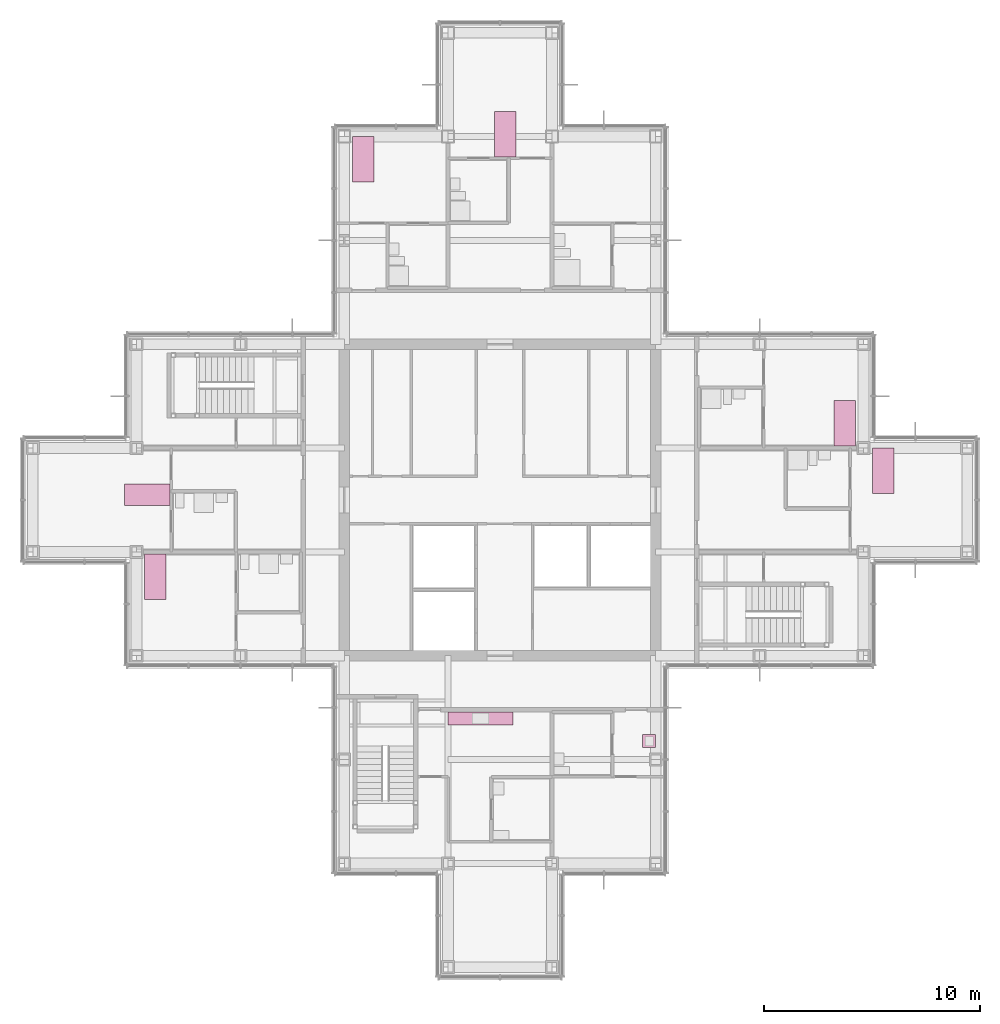
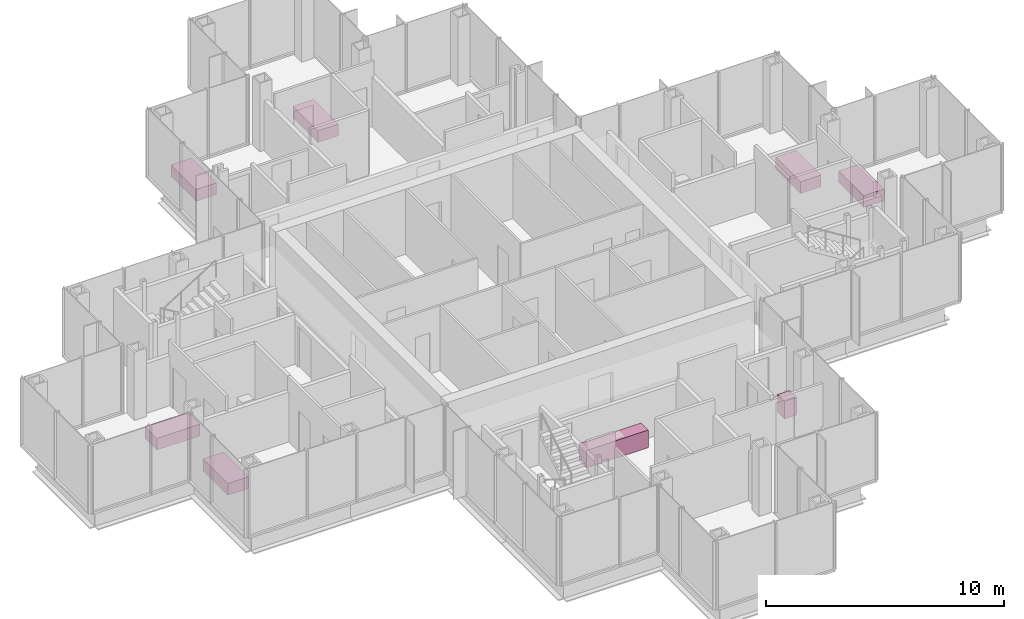
# One storey, part 17 of 17: 8 furniture elements.
"""IFC4 building model written with IfcOpenShell, lengths in metres."""

from ifc_helpers import new_model, si_unit, direction, frame, origin, origin_2d, place, context, subcontext, project, spatial, rectangle, extrude, material, type_object, element, save


model = new_model("IFC4")

# Units and contexts
model_context = context("Model", 3, precision=1e-05, world=origin(), true_north=direction((0.0, 1.0)))
body_context = subcontext(model_context, "Body", "Model", "MODEL_VIEW")
ifc_project = project(units=[si_unit("LENGTHUNIT", "METRE"), si_unit("AREAUNIT", "SQUARE_METRE"), si_unit("VOLUMEUNIT", "CUBIC_METRE"), si_unit("PLANEANGLEUNIT", "RADIAN"), si_unit("MASSUNIT", "GRAM", prefix="KILO")], contexts=[model_context])

# Site, building, storey
site_placement = place(None, origin())
site = spatial("IfcSite", under=ifc_project, at=site_placement, CompositionType="ELEMENT")
building_placement = place(site_placement, origin())
building = spatial("IfcBuilding", under=site, at=building_placement, Name="Kvirike Care Tower", CompositionType="ELEMENT")
storey_placement = place(building_placement, frame((0.0, 0.0, 148.0)))
storey = spatial("IfcBuildingStorey", under=building, at=storey_placement, Name="L40", CompositionType="ELEMENT", Elevation=148.0)

# Furniture
ifc_material_1 = material(Name="Steel frame", Category="steel")
furniture_type_1 = type_object("IfcFurnitureType", Name="CARE BED 1000 x 2100", AssemblyPlace="FACTORY", PredefinedType="BED", material=ifc_material_1)
for number, where, z_axis, x_axis, name in (
    (1, (5.2880859375, 36.25, 0.0), (0.0, 0.0, 1.0), (0.0, -1.0, 0.0), "Care bed L40-005"),
    (2, (5.669921875, 32.447998046875, 0.0), (0.0, 0.0, 1.0), (1.0, 0.0, 0.0), "Care bed L40-008"),
    (3, (21.85009765625, 52.912109375, 0.0), (0.0, 0.0, 1.0), (-1.0, 0.0, 0.0), "Care bed L40-023"),
    (4, (15.27001953125, 51.748046875, 0.0), (0.0, 0.0, 1.0), (1.0, 0.0, 0.0), "Care bed L40-026"),
    (5, (39.320068359375, 37.347900390625, 0.0), (0.0, 0.0, 1.0), (1.0, 0.0, 0.0), "Care bed L40-033"),
    (6, (37.530029296875, 39.552001953125, 0.0), (0.0, 0.0, 1.0), (-1.0, 0.0, 0.0), "Care bed L40-036"),
):
    element("IfcFurniture", number, at=place(storey_placement, frame(where, z_axis=z_axis, x_axis=x_axis)), inside=storey, type_object=furniture_type_1, Name=name, PredefinedType="BED", context=body_context, shape_type="SweptSolid", body=[
        extrude(rectangle(XDim=1.0, YDim=2.10009765625, at=origin_2d()), origin(), (0.0, 0.0, 1.0), 0.60009765625),
    ])
ifc_material_2 = material(Name="Laminated board", Category="wood")
furniture_type_2 = type_object("IfcFurnitureType", Name="KITCHEN UNIT RUN 600", AssemblyPlace="FACTORY", PredefinedType="USERDEFINED", material=ifc_material_2)
furniture_1_placement = place(storey_placement, frame((20.699951171875, 25.89794921875, 0.0), z_axis=(0.0, 0.0, 1.0), x_axis=(1.0, 0.0, 0.0)))
element("IfcFurniture", 7, at=furniture_1_placement, inside=storey, type_object=furniture_type_2, Name="Kitchen unit run L40-015", ObjectType="KITCHEN UNIT", PredefinedType="USERDEFINED", context=body_context, shape_type="SweptSolid", body=[
    extrude(rectangle(XDim=3.0, YDim=0.60009765625, at=origin_2d()), origin(), (0.0, 0.0, 1.0), 0.89990234375),
])
furniture_2_placement = place(storey_placement, frame((28.498046875, 24.85009765625, 0.0), z_axis=(0.0, 0.0, 1.0), x_axis=(0.0, -1.0, 0.0)))
element("IfcFurniture", 8, at=furniture_2_placement, inside=storey, type_object=furniture_type_2, Name="Kitchen unit run L40-018", ObjectType="KITCHEN UNIT", PredefinedType="USERDEFINED", context=body_context, shape_type="SweptSolid", body=[
    extrude(rectangle(XDim=0.60009765625, YDim=0.60009765625, at=origin_2d()), origin(), (0.0, 0.0, 1.0), 0.89990234375),
])

save(model, "model.ifc")
